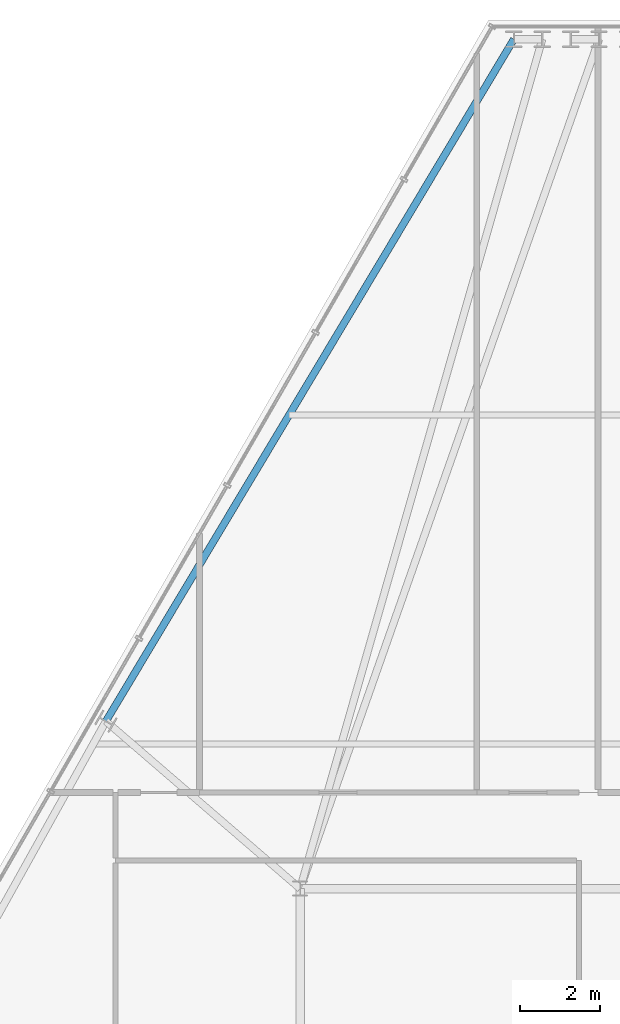
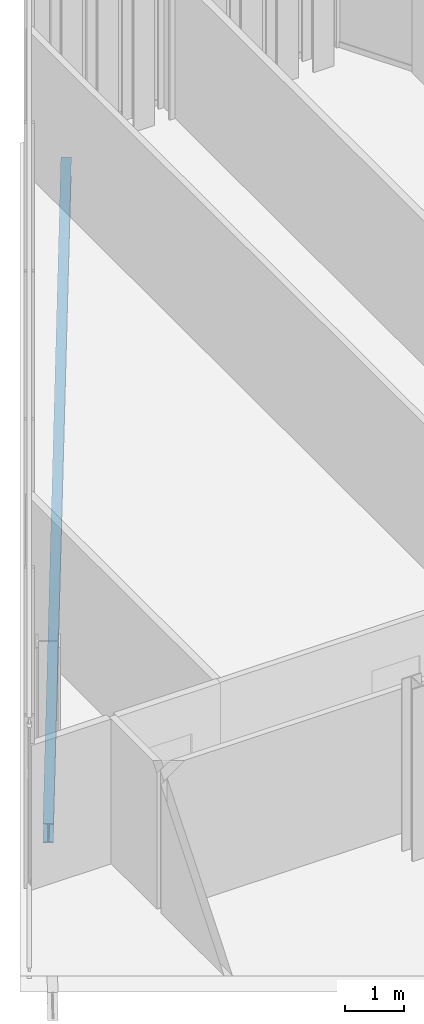
# One storey, part 14 of 32: 1 beam.
"""IFC4 building model written with IfcOpenShell, lengths in metres."""

from ifc_helpers import new_model, si_unit, direction, frame, origin, origin_2d, place, context, subcontext, project, spatial, i_section, extrude, material, material_profile, profile_set, type_object, element, save


model = new_model("IFC4")

# Units and contexts
model_context = context("Model", 3, precision=1e-05, world=origin(), true_north=direction((0.0, 1.0)))
body_context = subcontext(model_context, "Body", "Model", "MODEL_VIEW")
ifc_project = project(units=[si_unit("LENGTHUNIT", "METRE"), si_unit("AREAUNIT", "SQUARE_METRE"), si_unit("VOLUMEUNIT", "CUBIC_METRE"), si_unit("PLANEANGLEUNIT", "RADIAN"), si_unit("MASSUNIT", "GRAM", prefix="KILO")], contexts=[model_context])

# Site, building, storey
site_placement = place(None, origin())
site = spatial("IfcSite", under=ifc_project, at=site_placement, CompositionType="ELEMENT")
building_placement = place(site_placement, origin())
building = spatial("IfcBuilding", under=site, at=building_placement, Name="Ndaravel Arena Tower", CompositionType="ELEMENT")
storey_placement = place(building_placement, frame((0.0, 0.0, 256.0)))
storey = spatial("IfcBuildingStorey", under=building, at=storey_placement, Name="L62", CompositionType="ELEMENT", Elevation=256.0)

# Beam
ifc_material = material(Name="Steel S355", Category="steel")
ifc_material_profile = material_profile(ifc_material, i_section(OverallWidth=0.179931640625, OverallDepth=0.39990234375, WebThickness=0.008544921875, FlangeThickness=0.013427734375, FilletRadius=0.02099609375, at=origin_2d()), Name="IPE 400")
ifc_profile_set = profile_set([ifc_material_profile], Name="Steel S355")
beam_type = type_object("IfcBeamType", Name="BM-SPAN-IPE400", PredefinedType="SPANDREL", material=ifc_profile_set)
beam_placement = place(storey_placement, frame((39.524658203125, 44.359619140625, -0.419921875), z_axis=(-0.513329186299, -0.858191788876, 0.0), x_axis=(0.858191788876, -0.513329186299, 0.0)))
element("IfcBeam", 1, at=beam_placement, inside=storey, type_object=beam_type, Name="L62 Perimeter Spandrel Beam SP-18", PredefinedType="SPANDREL", context=body_context, shape_type="SweptSolid", body=[
    extrude(i_section(OverallWidth=0.179931640625, OverallDepth=0.39990234375, WebThickness=0.008544921875, FlangeThickness=0.013427734375, FilletRadius=0.02099609375, at=origin_2d()), origin(), (0.0, 0.0, 1.0), 19.79736328125),
])

save(model, "model.ifc")
